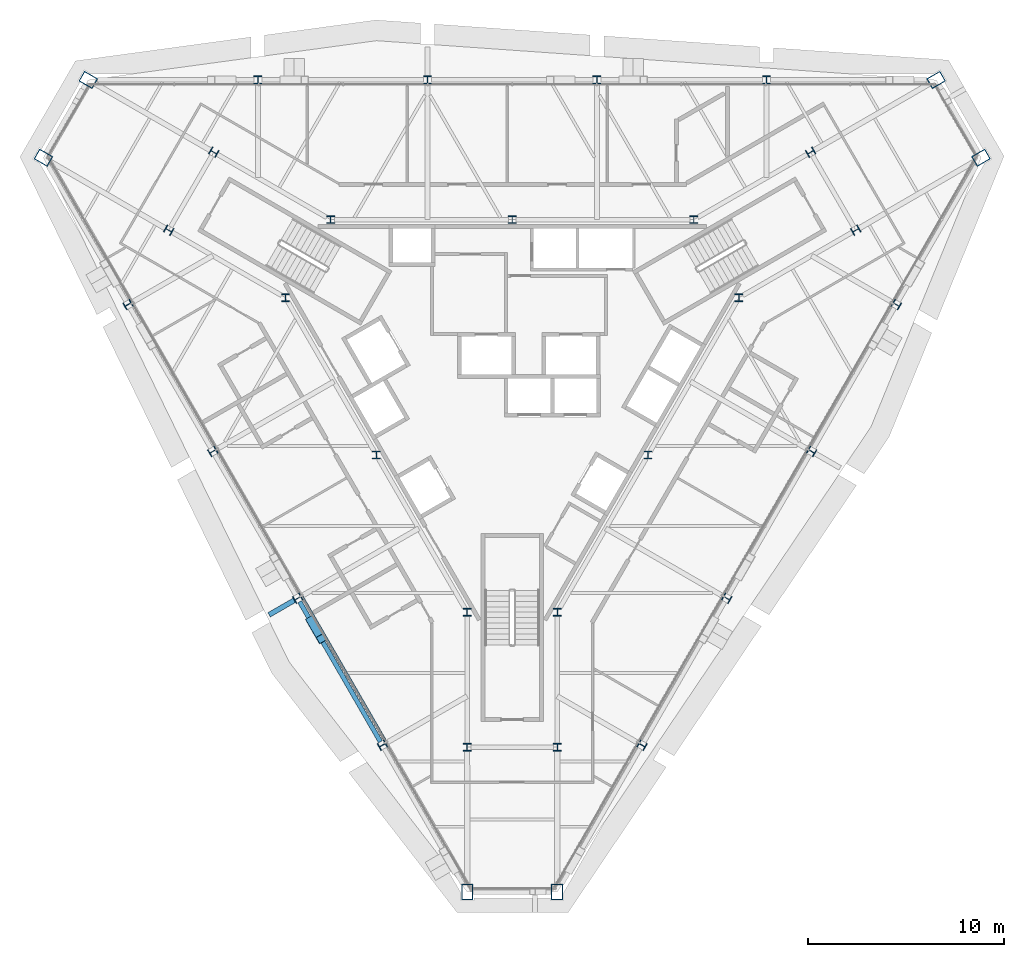
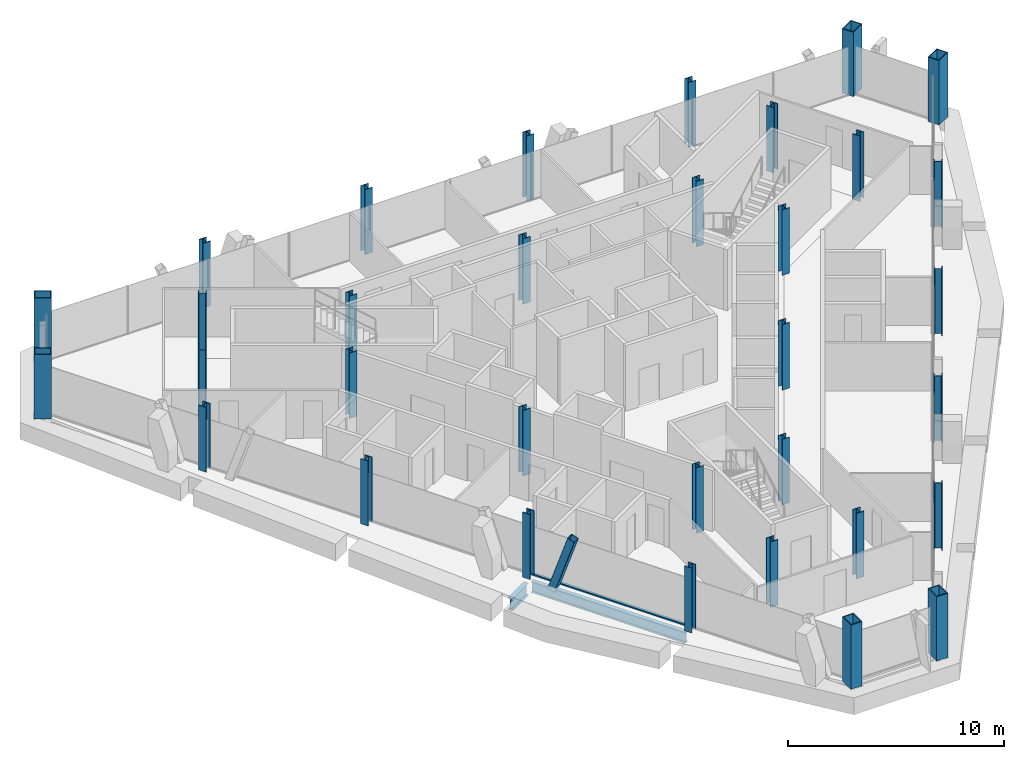
# One storey, part 1 of 13: 33 columns, 2 beams, 2 members, 1 element without a shape of its own.
"""IFC4 building model written with IfcOpenShell, lengths in metres."""

from ifc_helpers import new_model, si_unit, direction, frame, origin, origin_2d, place, context, subcontext, project, spatial, rectangle, hollow_rectangle, i_section, extrude, material, material_profile, profile_set, type_object, element, aggregate, save


model = new_model("IFC4")

# Units and contexts
model_context = context("Model", 3, precision=1e-05, world=origin(), true_north=direction((0.0, 1.0)))
body_context = subcontext(model_context, "Body", "Model", "MODEL_VIEW")
ifc_project = project(units=[si_unit("LENGTHUNIT", "METRE"), si_unit("AREAUNIT", "SQUARE_METRE"), si_unit("VOLUMEUNIT", "CUBIC_METRE"), si_unit("PLANEANGLEUNIT", "RADIAN"), si_unit("MASSUNIT", "GRAM", prefix="KILO")], contexts=[model_context])

# Site, building, storey
site_placement = place(None, origin())
site = spatial("IfcSite", under=ifc_project, at=site_placement, CompositionType="ELEMENT")
building_placement = place(site_placement, origin())
building = spatial("IfcBuilding", under=site, at=building_placement, Name="Verrane Prism Tower", CompositionType="ELEMENT")
storey_placement = place(building_placement, frame((0.0, 0.0, 210.10009765625)))
storey = spatial("IfcBuildingStorey", under=building, at=storey_placement, Name="L52", CompositionType="ELEMENT", Elevation=210.10009765625)

# Columns
ifc_material_1 = material(Name="Steel A992", Category="steel")
ifc_material_profile_1 = material_profile(ifc_material_1, i_section(OverallWidth=0.4013671875, OverallDepth=0.398681640625, WebThickness=0.02490234375, FlangeThickness=0.03955078125, FilletRadius=0.01513671875, at=origin_2d()), Name="W14x211")
ifc_profile_set_1 = profile_set([ifc_material_profile_1], Name="Steel A992")
column_type_1 = type_object("IfcColumnType", Name="Core corner column W14x211", PredefinedType="COLUMN", material=ifc_profile_set_1)
for number, where, z_axis, x_axis, name in (
    (1, (17.52001953125, 7.4599609375, 0.0), (0.0, 0.0, 1.0), (0.5, -0.866025403784, 0.0), "Core corner column CK-NEm L52"),
    (2, (15.219970703125, 11.43994140625, 0.0), (0.0, 0.0, 1.0), (0.5, -0.866025403784, 0.0), "Core corner column CK-NEp L52"),
    (3, (-15.219970703125, 11.43994140625, 0.0), (0.0, 0.0, 1.0), (0.5, 0.866025403784, 0.0), "Core corner column CK-NWm L52"),
    (4, (-17.52001953125, 7.4599609375, 0.0), (0.0, 0.0, 1.0), (0.5, 0.866025403784, 0.0), "Core corner column CK-NWp L52"),
    (5, (-2.300048828125, -18.89990234375, 0.0), (0.0, 0.0, 1.0), (-1.0, 0.0, 0.0), "Core corner column CK-Sm L52"),
    (6, (2.300048828125, -18.89990234375, 0.0), (0.0, 0.0, 1.0), (-1.0, 0.0, 0.0), "Core corner column CK-Sp L52"),
):
    element("IfcColumn", number, at=place(storey_placement, frame(where, z_axis=z_axis, x_axis=x_axis)), inside=storey, type_object=column_type_1, Name=name, PredefinedType="COLUMN", context=body_context, shape_type="SweptSolid", body=[
        extrude(i_section(OverallWidth=0.4013671875, OverallDepth=0.398681640625, WebThickness=0.02490234375, FlangeThickness=0.03955078125, FilletRadius=0.01513671875, at=origin_2d()), origin(), (0.0, 0.0, 1.0), 3.699951171875),
    ])
ifc_material_2 = material(Name="Steel A992", Category="steel")
ifc_material_profile_2 = material_profile(ifc_material_2, i_section(OverallWidth=0.398681640625, OverallDepth=0.385986328125, WebThickness=0.02099609375, FlangeThickness=0.033203125, FilletRadius=0.01513671875, at=origin_2d()), Name="W14x176")
ifc_profile_set_2 = profile_set([ifc_material_profile_2], Name="Steel A992")
column_type_2 = type_object("IfcColumnType", Name="Core side column W14x176", PredefinedType="COLUMN", material=ifc_profile_set_2)
for number, where, z_axis, x_axis, name in (
    (7, (11.56005859375, 4.02001953125, 0.0), (0.0, 0.0, 1.0), (1.0, 0.0, 0.0), "Core side column CC-NEm L52"),
    (8, (9.260009765625, 8.0, 0.0), (0.0, 0.0, 1.0), (1.0, 0.0, 0.0), "Core side column CC-NEp L52"),
    (9, (0.0, 8.0, 0.0), (0.0, 0.0, 1.0), (1.0, 0.0, 0.0), "Core side column CC-N0 L52"),
    (10, (-9.260009765625, 8.0, 0.0), (0.0, 0.0, 1.0), (1.0, 0.0, 0.0), "Core side column CC-NWm L52"),
    (11, (-11.56005859375, 4.02001953125, 0.0), (0.0, 0.0, 1.0), (1.0, 0.0, 0.0), "Core side column CC-NWp L52"),
    (12, (-6.929931640625, -4.0, 0.0), (0.0, 0.0, 1.0), (1.0, 0.0, 0.0), "Core side column CC-SW0 L52"),
    (13, (-2.300048828125, -12.02001953125, 0.0), (0.0, 0.0, 1.0), (1.0, 0.0, 0.0), "Core side column CC-Sm L52"),
    (14, (2.300048828125, -12.02001953125, 0.0), (0.0, 0.0, 1.0), (1.0, 0.0, 0.0), "Core side column CC-Sp L52"),
    (15, (6.929931640625, -4.0, 0.0), (0.0, 0.0, 1.0), (1.0, 0.0, 0.0), "Core side column CC-SE0 L52"),
):
    element("IfcColumn", number, at=place(storey_placement, frame(where, z_axis=z_axis, x_axis=x_axis)), inside=storey, type_object=column_type_2, Name=name, PredefinedType="COLUMN", context=body_context, shape_type="SweptSolid", body=[
        extrude(i_section(OverallWidth=0.398681640625, OverallDepth=0.385986328125, WebThickness=0.02099609375, FlangeThickness=0.033203125, FilletRadius=0.01513671875, at=origin_2d()), origin(), (0.0, 0.0, 1.0), 3.699951171875),
    ])
ifc_material_3 = material(Name="Steel A572 Grade 50", Category="steel")
ifc_material_profile_3 = material_profile(ifc_material_3, hollow_rectangle(XDim=0.60009765625, YDim=0.800048828125, WallThickness=0.050048828125, at=origin_2d()), Name="BOX 800x600x50")
ifc_profile_set_3 = profile_set([ifc_material_profile_3], Name="Steel A572 Grade 50")
column_type_3 = type_object("IfcColumnType", Name="Megacolumn BOX 800x600x50", PredefinedType="COLUMN", material=ifc_profile_set_3)
for number, where, z_axis, x_axis, name in (
    (16, (21.6201171875, 15.1298828125, 0.0), (0.0, 0.0, 1.0), (0.5, -0.866025403784, 0.0), "Megacolumn MC-NE.b L52"),
    (17, (-21.6201171875, 15.1298828125, 0.0), (0.0, 0.0, 1.0), (0.5, 0.866025403784, 0.0), "Megacolumn MC-NW.a L52"),
    (18, (-23.909912109375, 11.159912109375, 0.0), (0.0, 0.0, 1.0), (0.5, 0.866025403784, 0.0), "Megacolumn MC-NW.b L52"),
    (19, (-2.2900390625, -26.2900390625, 0.0), (0.0, 0.0, 1.0), (-1.0, 0.0, 0.0), "Megacolumn MC-S.a L52"),
    (20, (2.2900390625, -26.2900390625, 0.0), (0.0, 0.0, 1.0), (-1.0, 0.0, 0.0), "Megacolumn MC-S.b L52"),
    (21, (23.909912109375, 11.159912109375, 0.0), (0.0, 0.0, 1.0), (0.5, -0.866025403784, 0.0), "Megacolumn MC-NE.a L52"),
):
    element("IfcColumn", number, at=place(storey_placement, frame(where, z_axis=z_axis, x_axis=x_axis)), inside=storey, type_object=column_type_3, Name=name, PredefinedType="COLUMN", context=body_context, shape_type="SweptSolid", body=[
        extrude(hollow_rectangle(XDim=0.60009765625, YDim=0.800048828125, WallThickness=0.050048828125, at=origin_2d()), origin(), (0.0, 0.0, 1.0), 3.635009765625),
    ])
ifc_material_4 = material(Name="Steel A992", Category="steel")
ifc_material_profile_4 = material_profile(ifc_material_4, i_section(OverallWidth=0.4013671875, OverallDepth=0.398681640625, WebThickness=0.02490234375, FlangeThickness=0.03955078125, FilletRadius=0.01513671875, at=origin_2d()), Name="W14x211")
ifc_profile_set_4 = profile_set([ifc_material_profile_4], Name="Steel A992")
column_type_4 = type_object("IfcColumnType", Name="Perimeter column W14x211", PredefinedType="COLUMN", material=ifc_profile_set_4)
column_1_placement = place(storey_placement, frame((12.969970703125, 15.1298828125, 0.0), z_axis=(0.0, 0.0, 1.0), x_axis=(1.0, 0.0, 0.0)))
element("IfcColumn", 22, at=column_1_placement, inside=storey, type_object=column_type_4, Name="Perimeter column PC-N1 L52", PredefinedType="COLUMN", context=body_context, shape_type="SweptSolid", body=[
    extrude(i_section(OverallWidth=0.4013671875, OverallDepth=0.398681640625, WebThickness=0.02490234375, FlangeThickness=0.03955078125, FilletRadius=0.01513671875, at=origin_2d()), origin(), (0.0, 0.0, 1.0), 3.659912109375),
])
for number, where, z_axis, x_axis, name in (
    (23, (4.320068359375, 15.1298828125, 0.0), (0.0, 0.0, 1.0), (1.0, 0.0, 0.0), "Perimeter column PC-N2 L52"),
    (24, (-4.320068359375, 15.1298828125, 0.0), (0.0, 0.0, 1.0), (1.0, 0.0, 0.0), "Perimeter column PC-N3 L52"),
):
    element("IfcColumn", number, at=place(storey_placement, frame(where, z_axis=z_axis, x_axis=x_axis)), inside=storey, type_object=column_type_4, Name=name, PredefinedType="COLUMN", context=body_context, shape_type="SweptSolid", body=[
        extrude(i_section(OverallWidth=0.4013671875, OverallDepth=0.398681640625, WebThickness=0.02490234375, FlangeThickness=0.03955078125, FilletRadius=0.01513671875, at=origin_2d()), origin(), (0.0, 0.0, 1.0), 3.664794921875),
    ])
for number, where, z_axis, x_axis, name in (
    (25, (-12.969970703125, 15.1298828125, 0.0), (0.0, 0.0, 1.0), (1.0, 0.0, 0.0), "Perimeter column PC-N4 L52"),
    (26, (-19.590087890625, 3.669921875, 0.0), (0.0, 0.0, 1.0), (-0.5, 0.866025403784, 0.0), "Perimeter column PC-SW1 L52"),
):
    element("IfcColumn", number, at=place(storey_placement, frame(where, z_axis=z_axis, x_axis=x_axis)), inside=storey, type_object=column_type_4, Name=name, PredefinedType="COLUMN", context=body_context, shape_type="SweptSolid", body=[
        extrude(i_section(OverallWidth=0.4013671875, OverallDepth=0.398681640625, WebThickness=0.02490234375, FlangeThickness=0.03955078125, FilletRadius=0.01513671875, at=origin_2d()), origin(), (0.0, 0.0, 1.0), 3.659912109375),
    ])
for number, where, z_axis, x_axis, name in (
    (27, (-15.27001953125, -3.820068359375, 0.0), (0.0, 0.0, 1.0), (-0.5, 0.866025403784, 0.0), "Perimeter column PC-SW2 L52"),
    (28, (-10.93994140625, -11.31005859375, 0.0), (0.0, 0.0, 1.0), (-0.5, 0.866025403784, 0.0), "Perimeter column PC-SW3 L52"),
    (29, (-6.6201171875, -18.800048828125, 0.0), (0.0, 0.0, 1.0), (-0.5, 0.866025403784, 0.0), "Perimeter column PC-SW4 L52"),
    (30, (6.6201171875, -18.800048828125, 0.0), (0.0, 0.0, 1.0), (-0.5, -0.866025403784, 0.0), "Perimeter column PC-SE1 L52"),
    (31, (10.93994140625, -11.31005859375, 0.0), (0.0, 0.0, 1.0), (-0.5, -0.866025403784, 0.0), "Perimeter column PC-SE2 L52"),
    (32, (15.27001953125, -3.820068359375, 0.0), (0.0, 0.0, 1.0), (-0.5, -0.866025403784, 0.0), "Perimeter column PC-SE3 L52"),
):
    element("IfcColumn", number, at=place(storey_placement, frame(where, z_axis=z_axis, x_axis=x_axis)), inside=storey, type_object=column_type_4, Name=name, PredefinedType="COLUMN", context=body_context, shape_type="SweptSolid", body=[
        extrude(i_section(OverallWidth=0.4013671875, OverallDepth=0.398681640625, WebThickness=0.02490234375, FlangeThickness=0.03955078125, FilletRadius=0.01513671875, at=origin_2d()), origin(), (0.0, 0.0, 1.0), 3.664794921875),
    ])
column_2_placement = place(storey_placement, frame((19.590087890625, 3.669921875, 0.0), z_axis=(0.0, 0.0, 1.0), x_axis=(-0.5, -0.866025403784, 0.0)))
element("IfcColumn", 33, at=column_2_placement, inside=storey, type_object=column_type_4, Name="Perimeter column PC-SE4 L52", PredefinedType="COLUMN", context=body_context, shape_type="SweptSolid", body=[
    extrude(i_section(OverallWidth=0.4013671875, OverallDepth=0.398681640625, WebThickness=0.02490234375, FlangeThickness=0.03955078125, FilletRadius=0.01513671875, at=origin_2d()), origin(), (0.0, 0.0, 1.0), 3.659912109375),
])

# Member
ifc_material_5 = material(Name="Steel A500 Grade C", Category="steel")
ifc_material_profile_5 = material_profile(ifc_material_5, hollow_rectangle(XDim=0.406494140625, YDim=0.406494140625, WallThickness=0.01904296875, InnerFilletRadius=0.009521484375, OuterFilletRadius=0.028564453125, at=origin_2d()), Name="HSS16x16x3/4")
ifc_profile_set_5 = profile_set([ifc_material_profile_5], Name="Steel A500 Grade C")
member_type_1 = type_object("IfcMemberType", Name="Facade brace HSS16x16x3/4", PredefinedType="BRACE", material=ifc_profile_set_5)
member_1_placement = place(storey_placement, frame((-10.28076171875, -12.452880859375, -0.216796875), z_axis=(0.158163596472, -0.274304799012, 0.948546864414), x_axis=(0.866307461452, 0.499511143251, 0.0)))
element("IfcMember", 34, at=member_1_placement, inside=storey, type_object=member_type_1, Name="Facade brace SW3 L52", PredefinedType="BRACE", context=body_context, shape_type="SweptSolid", body=[
    extrude(hollow_rectangle(XDim=0.406494140625, YDim=0.406494140625, WallThickness=0.01904296875, InnerFilletRadius=0.009521484375, OuterFilletRadius=0.028564453125, at=origin_2d()), origin(), (0.0, 0.0, 1.0), 3.36962890625),
])

# Beams
ifc_material_6 = material(Name="Steel A992", Category="steel")
ifc_material_profile_6 = material_profile(ifc_material_6, i_section(OverallWidth=0.25390625, OverallDepth=0.683349609375, WebThickness=0.012451171875, FlangeThickness=0.01904296875, FilletRadius=0.01513671875, at=origin_2d()), Name="W27x94")
ifc_profile_set_6 = profile_set([ifc_material_profile_6], Name="Steel A992")
beam_type_1 = type_object("IfcBeamType", Name="Radial girder W27x94", PredefinedType="BEAM", material=ifc_profile_set_6)
beam_1_placement = place(storey_placement, frame((-11.109130859375, -11.40771484375, -0.561767578125), z_axis=(-0.866054481515, -0.499949632511, 0.0), x_axis=(0.499949632511, -0.866054481515, 0.0)))
element("IfcBeam", 35, at=beam_1_placement, inside=storey, type_object=beam_type_1, Name="Cantilever girder L52", PredefinedType="BEAM", context=body_context, shape_type="SweptSolid", body=[
    extrude(i_section(OverallWidth=0.25390625, OverallDepth=0.683349609375, WebThickness=0.012451171875, FlangeThickness=0.01904296875, FilletRadius=0.01513671875, at=origin_2d()), origin(), (0.0, 0.0, 1.0), 1.488525390625),
])
ifc_material_7 = material(Name="Steel A992", Category="steel")
ifc_material_profile_7 = material_profile(ifc_material_7, i_section(OverallWidth=0.23046875, OverallDepth=0.6171875, WebThickness=0.01318359375, FlangeThickness=0.022216796875, FilletRadius=0.012939453125, at=origin_2d()), Name="W24x94")
ifc_profile_set_7 = profile_set([ifc_material_profile_7], Name="Steel A992")
beam_type_2 = type_object("IfcBeamType", Name="Spandrel beam W24x94", PredefinedType="SPANDREL", material=ifc_profile_set_7)
beam_2_placement = place(storey_placement, frame((-10.839599609375, -11.48388671875, -0.46875), z_axis=(0.499613933384, -0.866248184742, 0.0), x_axis=(0.866248184742, 0.499613933384, 0.0)))
element("IfcBeam", 36, at=beam_2_placement, inside=storey, type_object=beam_type_2, Name="Spandrel beam L52", PredefinedType="SPANDREL", context=body_context, shape_type="SweptSolid", body=[
    extrude(i_section(OverallWidth=0.23046875, OverallDepth=0.6171875, WebThickness=0.01318359375, FlangeThickness=0.022216796875, FilletRadius=0.012939453125, at=origin_2d()), origin(), (0.0, 0.0, 1.0), 8.2451171875),
])

# Curtain wall, member
ifc_material_8 = material(Name="Aluminium framed insulated glazing", Category="aluminium")
curtain_wall_type = type_object("IfcCurtainWallType", Name="Curtain wall CW-A 8400 module", PredefinedType="NOTDEFINED", material=ifc_material_8)
curtain_wall_placement = place(storey_placement, origin())
curtain_wall = element("IfcCurtainWall", 37, at=curtain_wall_placement, inside=storey, type_object=curtain_wall_type, Name="Glazed curtain wall south-west face L52", PredefinedType="NOTDEFINED")
ifc_material_9 = material(Name="Aluminium alloy 6063-T6", Category="aluminium")
ifc_material_profile_8 = material_profile(ifc_material_9, rectangle(XDim=0.14990234375, YDim=0.070068359375, at=origin_2d()), Name="Transom 70x150 aluminium")
ifc_profile_set_8 = profile_set([ifc_material_profile_8], Name="Aluminium alloy 6063-T6")
member_type_2 = type_object("IfcMemberType", Name="Transom 70x150 aluminium", PredefinedType="USERDEFINED", material=ifc_profile_set_8)
member_2_placement = place(storey_placement, frame((-10.732666015625, -11.2138671875, 0.034912109375), z_axis=(0.499999279071, -0.866025820012, 0.0), x_axis=(0.866025820012, 0.499999279071, 0.0)))
member_2 = element("IfcMember", 38, at=member_2_placement, type_object=member_type_2, Name="CW51.4 transom 4", ObjectType="TRANSOM", PredefinedType="USERDEFINED", context=body_context, shape_type="SweptSolid", body=[
    extrude(rectangle(XDim=0.14990234375, YDim=0.070068359375, at=origin_2d()), origin(), (0.0, 0.0, 1.0), 8.55029296875),
])
aggregate(curtain_wall, [member_2])

save(model, "model.ifc")
